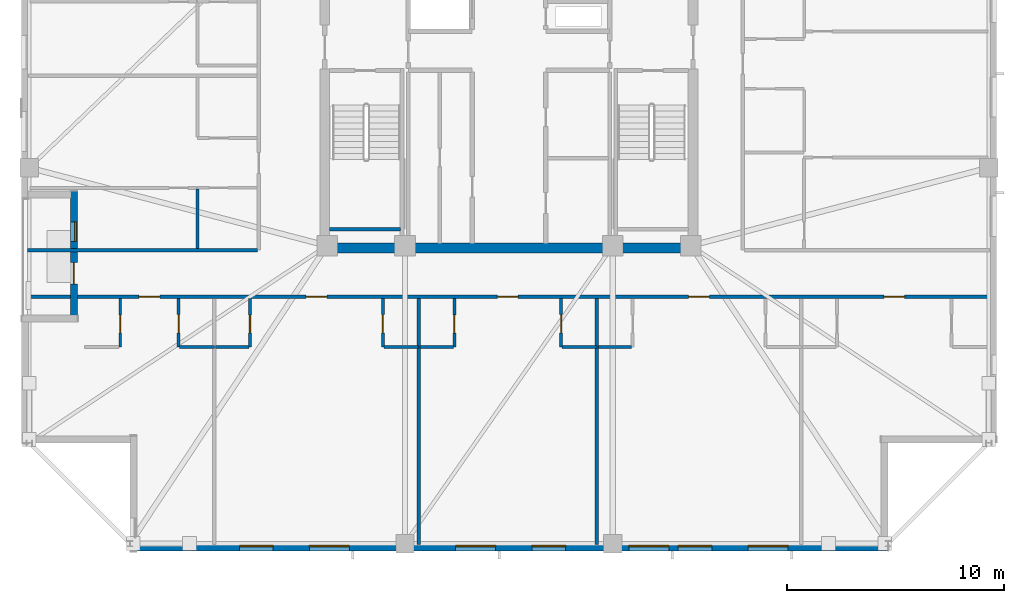
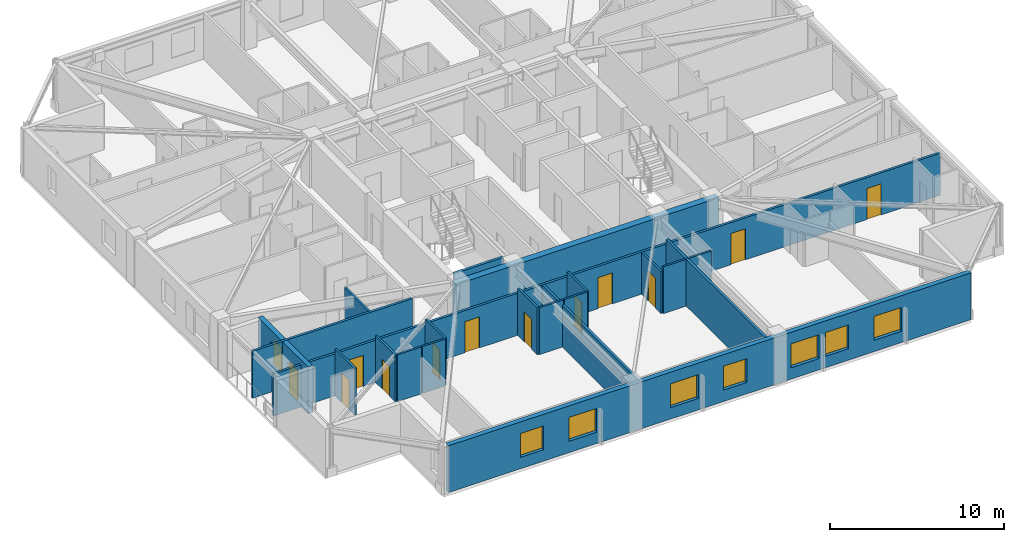
# One storey, part 7 of 17: 21 walls, 12 doors, 8 windows, 20 openings.
"""IFC4 building model written with IfcOpenShell, lengths in metres."""

from ifc_helpers import new_model, si_unit, direction, frame, frame_2d, origin, place, context, subcontext, project, spatial, rectangle, extrude, material, layer, layer_set, type_object, element, fill, save


model = new_model("IFC4")

# Units and contexts
model_context = context("Model", 3, precision=1e-05, world=origin(), true_north=direction((0.0, 1.0)))
body_context = subcontext(model_context, "Body", "Model", "MODEL_VIEW")
ifc_project = project(units=[si_unit("LENGTHUNIT", "METRE"), si_unit("AREAUNIT", "SQUARE_METRE"), si_unit("VOLUMEUNIT", "CUBIC_METRE"), si_unit("PLANEANGLEUNIT", "RADIAN"), si_unit("MASSUNIT", "GRAM", prefix="KILO")], contexts=[model_context])

# Site, building, storey
site_placement = place(None, origin())
site = spatial("IfcSite", under=ifc_project, at=site_placement, CompositionType="ELEMENT")
building_placement = place(site_placement, origin())
building = spatial("IfcBuilding", under=site, at=building_placement, Name="Cairnveth Concourse Tower", CompositionType="ELEMENT")
storey_placement = place(building_placement, frame((0.0, 0.0, 251.5)))
storey = spatial("IfcBuildingStorey", under=building, at=storey_placement, Name="L69", CompositionType="ELEMENT", Elevation=251.5)

# Wall, openings, doors
ifc_material_1 = material(Name="Gypsum Plasterboard Partition", Category="gypsum")
ifc_layer_1 = layer(ifc_material_1, 0.159912109375)
ifc_layer_set_1 = layer_set([ifc_layer_1], Name="Gypsum Plasterboard Partition")
wall_type_1 = type_object("IfcWallType", Name="ACOUSTIC PARTY WALL 180", PredefinedType="PARTITIONING", material=ifc_layer_set_1)
wall_1_placement = place(storey_placement, frame((29.9150390625, 28.25244140625, 0.0), z_axis=(0.0, 0.0, 1.0), x_axis=(1.0, 0.0, 0.0)))
wall_1 = element("IfcWall", 1, at=wall_1_placement, inside=storey, type_object=wall_type_1, Name="Interior Wall IW-L69-035", PredefinedType="PARTITIONING", context=body_context, shape_type="SweptSolid", body=[
    extrude(rectangle(XDim=44.280029296875, YDim=0.159912109375, at=frame_2d((22.14013671875, 0.0))), origin(), (0.0, 0.0, 1.0), 2.9580078125),
])
opening_1_placement = place(wall_1_placement, frame((5.002197265625, 0.0, 0.0)))
opening_1 = element("IfcOpeningElement", 2, at=opening_1_placement, cuts=wall_1, Name="Opening ID10", PredefinedType="OPENING", context=body_context, shape_type="SweptSolid", body=[
    extrude(rectangle(XDim=0.9599609375, YDim=2.179931640625, at=frame_2d((0.47998046875, 1.08984375))), frame((0.0, 0.08984375, 0.0), z_axis=(0.0, -1.0, 0.0), x_axis=(1.0, 0.0, 0.0)), (0.0, 0.0, 1.0), 0.179931640625),
])
opening_2_placement = place(wall_1_placement, frame((12.718017578125, 0.0, 0.0)))
opening_2 = element("IfcOpeningElement", 3, at=opening_2_placement, cuts=wall_1, Name="Opening ID10", PredefinedType="OPENING", context=body_context, shape_type="SweptSolid", body=[
    extrude(rectangle(XDim=0.9599609375, YDim=2.179931640625, at=frame_2d((0.47998046875, 1.08984375))), frame((0.0, 0.08984375, 0.0), z_axis=(0.0, -1.0, 0.0), x_axis=(1.0, 0.0, 0.0)), (0.0, 0.0, 1.0), 0.179931640625),
])
opening_3_placement = place(wall_1_placement, frame((21.550048828125, 0.0, 0.0)))
opening_3 = element("IfcOpeningElement", 4, at=opening_3_placement, cuts=wall_1, Name="Opening ID10", PredefinedType="OPENING", context=body_context, shape_type="SweptSolid", body=[
    extrude(rectangle(XDim=0.9599609375, YDim=2.179931640625, at=frame_2d((0.47998046875, 1.08984375))), frame((0.0, 0.08984375, 0.0), z_axis=(0.0, -1.0, 0.0), x_axis=(1.0, 0.0, 0.0)), (0.0, 0.0, 1.0), 0.179931640625),
])
opening_4_placement = place(wall_1_placement, frame((30.382080078125, 0.0, 0.0)))
opening_4 = element("IfcOpeningElement", 5, at=opening_4_placement, cuts=wall_1, Name="Opening ID10", PredefinedType="OPENING", context=body_context, shape_type="SweptSolid", body=[
    extrude(rectangle(XDim=0.9599609375, YDim=2.179931640625, at=frame_2d((0.47998046875, 1.08984375))), frame((0.0, 0.08984375, 0.0), z_axis=(0.0, -1.0, 0.0), x_axis=(1.0, 0.0, 0.0)), (0.0, 0.0, 1.0), 0.179931640625),
])
opening_5_placement = place(wall_1_placement, frame((39.392822265625, 0.0, 0.0)))
opening_5 = element("IfcOpeningElement", 6, at=opening_5_placement, cuts=wall_1, Name="Opening ID10", PredefinedType="OPENING", context=body_context, shape_type="SweptSolid", body=[
    extrude(rectangle(XDim=0.9599609375, YDim=2.179931640625, at=frame_2d((0.47998046875, 1.08984375))), frame((0.0, 0.08984375, 0.0), z_axis=(0.0, -1.0, 0.0), x_axis=(1.0, 0.0, 0.0)), (0.0, 0.0, 1.0), 0.179931640625),
])
ifc_material_2 = material(Name="Solid Core Hardwood Timber Leaf", Category="wood")
door_type_1 = type_object("IfcDoorType", Name="FLAT ENTRANCE DOOR 960X2150", OperationType="NOTDEFINED", PredefinedType="DOOR", material=ifc_material_2)
door_1_placement = place(opening_1_placement, origin())
door_1 = element("IfcDoor", 7, at=door_1_placement, inside=storey, type_object=door_type_1, Name="Studio L69STS1 Entrance Door", OperationType="SINGLE_SWING_RIGHT", OverallHeight=2.179931640625, OverallWidth=0.9599609375, PredefinedType="DOOR", context=body_context, shape_type="SweptSolid", body=[
    extrude(rectangle(XDim=0.9599609375, YDim=2.179931640625, at=frame_2d((0.47998046875, 1.08984375))), frame((0.0, 0.02490234375, 0.0), z_axis=(0.0, -1.0, 0.0), x_axis=(1.0, 0.0, 0.0)), (0.0, 0.0, 1.0), 0.050048828125),
])
fill(opening_1, door_1)
door_2_placement = place(opening_2_placement, origin())
door_2 = element("IfcDoor", 8, at=door_2_placement, inside=storey, type_object=door_type_1, Name="Studio L69STS2 Entrance Door", OperationType="SINGLE_SWING_LEFT", OverallHeight=2.179931640625, OverallWidth=0.9599609375, PredefinedType="DOOR", context=body_context, shape_type="SweptSolid", body=[
    extrude(rectangle(XDim=0.9599609375, YDim=2.179931640625, at=frame_2d((0.47998046875, 1.08984375))), frame((0.0, 0.02490234375, 0.0), z_axis=(0.0, -1.0, 0.0), x_axis=(1.0, 0.0, 0.0)), (0.0, 0.0, 1.0), 0.050048828125),
])
fill(opening_2, door_2)
door_3_placement = place(opening_3_placement, origin())
door_3 = element("IfcDoor", 9, at=door_3_placement, inside=storey, type_object=door_type_1, Name="Studio L69STS3 Entrance Door", OperationType="SINGLE_SWING_RIGHT", OverallHeight=2.179931640625, OverallWidth=0.9599609375, PredefinedType="DOOR", context=body_context, shape_type="SweptSolid", body=[
    extrude(rectangle(XDim=0.9599609375, YDim=2.179931640625, at=frame_2d((0.47998046875, 1.08984375))), frame((0.0, 0.02490234375, 0.0), z_axis=(0.0, -1.0, 0.0), x_axis=(1.0, 0.0, 0.0)), (0.0, 0.0, 1.0), 0.050048828125),
])
fill(opening_3, door_3)
door_4_placement = place(opening_4_placement, origin())
door_4 = element("IfcDoor", 10, at=door_4_placement, inside=storey, type_object=door_type_1, Name="Studio L69STS4 Entrance Door", OperationType="SINGLE_SWING_LEFT", OverallHeight=2.179931640625, OverallWidth=0.9599609375, PredefinedType="DOOR", context=body_context, shape_type="SweptSolid", body=[
    extrude(rectangle(XDim=0.9599609375, YDim=2.179931640625, at=frame_2d((0.47998046875, 1.08984375))), frame((0.0, 0.02490234375, 0.0), z_axis=(0.0, -1.0, 0.0), x_axis=(1.0, 0.0, 0.0)), (0.0, 0.0, 1.0), 0.050048828125),
])
fill(opening_4, door_4)
door_5_placement = place(opening_5_placement, origin())
door_5 = element("IfcDoor", 11, at=door_5_placement, inside=storey, type_object=door_type_1, Name="Studio L69STS5 Entrance Door", OperationType="SINGLE_SWING_RIGHT", OverallHeight=2.179931640625, OverallWidth=0.9599609375, PredefinedType="DOOR", context=body_context, shape_type="SweptSolid", body=[
    extrude(rectangle(XDim=0.9599609375, YDim=2.179931640625, at=frame_2d((0.47998046875, 1.08984375))), frame((0.0, 0.02490234375, 0.0), z_axis=(0.0, -1.0, 0.0), x_axis=(1.0, 0.0, 0.0)), (0.0, 0.0, 1.0), 0.050048828125),
])
fill(opening_5, door_5)

# Walls
wall_2_placement = place(storey_placement, frame((29.77001953125, 30.39990234375, 0.0), z_axis=(0.0, 0.0, 1.0), x_axis=(1.0, 0.0, 0.0)))
element("IfcWall", 12, at=wall_2_placement, inside=storey, type_object=wall_type_1, Name="Interior Wall IW-L69-039", PredefinedType="PARTITIONING", context=body_context, shape_type="SweptSolid", body=[
    extrude(rectangle(XDim=10.614990234375, YDim=0.159912109375, at=frame_2d((5.3076171875, 0.0))), origin(), (0.0, 0.0, 1.0), 3.2900390625),
])
wall_3_placement = place(storey_placement, frame((47.83154296875, 16.804931640625, 0.0), z_axis=(0.0, 0.0, 1.0), x_axis=(0.0, 1.0, 0.0)))
element("IfcWall", 13, at=wall_3_placement, inside=storey, type_object=wall_type_1, Name="Interior Wall IW-L69-052", PredefinedType="PARTITIONING", context=body_context, shape_type="SweptSolid", body=[
    extrude(rectangle(XDim=11.36767578125, YDim=0.159912109375, at=frame_2d((5.683837890625, 0.0))), origin(), (0.0, 0.0, 1.0), 2.9580078125),
])
wall_4_placement = place(storey_placement, frame((56.05859375, 16.804931640625, 0.0), z_axis=(0.0, 0.0, 1.0), x_axis=(0.0, 1.0, 0.0)))
element("IfcWall", 14, at=wall_4_placement, inside=storey, type_object=wall_type_1, Name="Interior Wall IW-L69-057", PredefinedType="PARTITIONING", context=body_context, shape_type="SweptSolid", body=[
    extrude(rectangle(XDim=11.36767578125, YDim=0.159912109375, at=frame_2d((5.683837890625, 0.0))), origin(), (0.0, 0.0, 1.0), 3.2900390625),
])
ifc_material_3 = material(Name="Concrete N65 (65 MPa)", Category="concrete")
ifc_layer_2 = layer(ifc_material_3, 0.449951171875)
ifc_layer_set_2 = layer_set([ifc_layer_2], Name="Concrete N65 (65 MPa)")
wall_type_2 = type_object("IfcWallType", Name="CORE SHEAR WALL 450", PredefinedType="SHEAR", material=ifc_layer_set_2)
wall_5_placement = place(storey_placement, frame((43.27490234375, 30.5, 0.0), z_axis=(0.0, 0.0, 1.0), x_axis=(1.0, 0.0, 0.0)))
element("IfcWall", 15, at=wall_5_placement, inside=storey, type_object=wall_type_2, Name="Core South Shear Wall L69", PredefinedType="SHEAR", context=body_context, shape_type="SweptSolid", body=[
    extrude(rectangle(XDim=17.4501953125, YDim=0.449951171875, at=frame_2d((8.72509765625, 0.0))), origin(), (0.0, 0.0, 1.0), 3.2900390625),
])
ifc_material_4 = material(Name="Concrete N50 (50 MPa)", Category="concrete")
ifc_layer_3 = layer(ifc_material_4, 0.179931640625)
ifc_layer_set_3 = layer_set([ifc_layer_3], Name="Concrete N50 (50 MPa)")
wall_type_3 = type_object("IfcWallType", Name="FIRE SHAFT WALL 180", PredefinedType="SOLIDWALL", material=ifc_layer_set_3)
wall_6_placement = place(storey_placement, frame((43.715087890625, 31.360107421875, 0.0), z_axis=(0.0, 0.0, 1.0), x_axis=(1.0, 0.0, 0.0)))
element("IfcWall", 16, at=wall_6_placement, inside=storey, type_object=wall_type_3, Name="Stair ST-1 Shaft Wall FAR L69", PredefinedType="SOLIDWALL", context=body_context, shape_type="SweptSolid", body=[
    extrude(rectangle(XDim=3.280029296875, YDim=0.179931640625, at=frame_2d((1.64013671875, 0.0))), origin(), (0.0, 0.0, 1.0), 3.2900390625),
])

# Wall, opening, door
ifc_layer_4 = layer(ifc_material_1, 0.1298828125)
ifc_layer_set_4 = layer_set([ifc_layer_4], Name="Gypsum Plasterboard Partition")
wall_type_4 = type_object("IfcWallType", Name="WET AREA PARTITION 140", PredefinedType="PLUMBINGWALL", material=ifc_layer_set_4)
wall_7_placement = place(storey_placement, frame((34.050048828125, 25.922607421875, 0.0), z_axis=(0.0, 0.0, 1.0), x_axis=(0.0, 1.0, 0.0)))
wall_7 = element("IfcWall", 17, at=wall_7_placement, inside=storey, type_object=wall_type_4, Name="Interior Wall IW-L69-043", PredefinedType="PLUMBINGWALL", context=body_context, shape_type="SweptSolid", body=[
    extrude(rectangle(XDim=2.25, YDim=0.1298828125, at=frame_2d((1.125, 0.0))), origin(), (0.0, 0.0, 1.0), 3.2900390625),
])
opening_6_placement = place(wall_7_placement, frame((0.64990234375, 0.0, 0.0)))
opening_6 = element("IfcOpeningElement", 18, at=opening_6_placement, cuts=wall_7, Name="Opening ID22", PredefinedType="OPENING", context=body_context, shape_type="SweptSolid", body=[
    extrude(rectangle(XDim=0.820068359375, YDim=2.10009765625, at=frame_2d((0.41015625, 1.050048828125))), frame((0.0, 0.074951171875, 0.0), z_axis=(0.0, -1.0, 0.0), x_axis=(1.0, 0.0, 0.0)), (0.0, 0.0, 1.0), 0.14990234375),
])
door_type_2 = type_object("IfcDoorType", Name="INTERIOR WC DOOR 820X2100", OperationType="NOTDEFINED", PredefinedType="DOOR", material=ifc_material_2)
door_6_placement = place(opening_6_placement, origin())
door_6 = element("IfcDoor", 19, at=door_6_placement, inside=storey, type_object=door_type_2, Name="L69STS1 Bathroom Door", OperationType="SINGLE_SWING_RIGHT", OverallHeight=2.10009765625, OverallWidth=0.820068359375, PredefinedType="DOOR", context=body_context, shape_type="SweptSolid", body=[
    extrude(rectangle(XDim=0.820068359375, YDim=2.10009765625, at=frame_2d((0.41015625, 1.050048828125))), frame((0.0, 0.02490234375, 0.0), z_axis=(0.0, -1.0, 0.0), x_axis=(1.0, 0.0, 0.0)), (0.0, 0.0, 1.0), 0.050048828125),
])
fill(opening_6, door_6)

wall_8_placement = place(storey_placement, frame((36.744384765625, 25.922607421875, 0.0), z_axis=(0.0, 0.0, 1.0), x_axis=(0.0, 1.0, 0.0)))
wall_8 = element("IfcWall", 20, at=wall_8_placement, inside=storey, type_object=wall_type_4, Name="Interior Wall IW-L69-045", PredefinedType="PLUMBINGWALL", context=body_context, shape_type="SweptSolid", body=[
    extrude(rectangle(XDim=2.25, YDim=0.1298828125, at=frame_2d((1.125, 0.0))), origin(), (0.0, 0.0, 1.0), 3.2900390625),
])
opening_7_placement = place(wall_8_placement, frame((0.64990234375, 0.0, 0.0)))
opening_7 = element("IfcOpeningElement", 21, at=opening_7_placement, cuts=wall_8, Name="Opening ID20", PredefinedType="OPENING", context=body_context, shape_type="SweptSolid", body=[
    extrude(rectangle(XDim=0.85009765625, YDim=2.10009765625, at=frame_2d((0.425048828125, 1.050048828125))), frame((0.0, 0.074951171875, 0.0), z_axis=(0.0, -1.0, 0.0), x_axis=(1.0, 0.0, 0.0)), (0.0, 0.0, 1.0), 0.14990234375),
])
door_type_3 = type_object("IfcDoorType", Name="INTERIOR SINGLE DOOR 850X2100", OperationType="NOTDEFINED", PredefinedType="DOOR", material=ifc_material_2)
door_7_placement = place(opening_7_placement, origin())
door_7 = element("IfcDoor", 22, at=door_7_placement, inside=storey, type_object=door_type_3, Name="L69STS1 Kitchen Door", OperationType="SINGLE_SWING_LEFT", OverallHeight=2.10009765625, OverallWidth=0.85009765625, PredefinedType="DOOR", context=body_context, shape_type="SweptSolid", body=[
    extrude(rectangle(XDim=0.85009765625, YDim=2.10009765625, at=frame_2d((0.425048828125, 1.050048828125))), frame((0.0, 0.02490234375, 0.0), z_axis=(0.0, -1.0, 0.0), x_axis=(1.0, 0.0, 0.0)), (0.0, 0.0, 1.0), 0.050048828125),
])
fill(opening_7, door_7)

# Wall
wall_9_placement = place(storey_placement, frame((36.79443359375, 25.922607421875, 0.0), z_axis=(0.0, 0.0, 1.0), x_axis=(1.0, 0.0, 0.0)))
element("IfcWall", 23, at=wall_9_placement, inside=storey, type_object=wall_type_4, Name="Interior Wall IW-L69-046", PredefinedType="PLUMBINGWALL", context=body_context, shape_type="SweptSolid", body=[
    extrude(rectangle(XDim=1.60009765625, YDim=0.1298828125, at=frame_2d((0.800048828125, 0.0))), origin(), (0.0, 0.0, 1.0), 3.2900390625),
])

# Wall, opening, door
wall_10_placement = place(storey_placement, frame((40.04443359375, 25.922607421875, 0.0), z_axis=(0.0, 0.0, 1.0), x_axis=(0.0, 1.0, 0.0)))
wall_10 = element("IfcWall", 24, at=wall_10_placement, inside=storey, type_object=wall_type_4, Name="Interior Wall IW-L69-048", PredefinedType="PLUMBINGWALL", context=body_context, shape_type="SweptSolid", body=[
    extrude(rectangle(XDim=2.25, YDim=0.1298828125, at=frame_2d((1.125, 0.0))), origin(), (0.0, 0.0, 1.0), 3.2900390625),
])
opening_8_placement = place(wall_10_placement, frame((0.64990234375, 0.0, 0.0)))
opening_8 = element("IfcOpeningElement", 25, at=opening_8_placement, cuts=wall_10, Name="Opening ID22", PredefinedType="OPENING", context=body_context, shape_type="SweptSolid", body=[
    extrude(rectangle(XDim=0.820068359375, YDim=2.10009765625, at=frame_2d((0.41015625, 1.050048828125))), frame((0.0, 0.074951171875, 0.0), z_axis=(0.0, -1.0, 0.0), x_axis=(1.0, 0.0, 0.0)), (0.0, 0.0, 1.0), 0.14990234375),
])
door_8_placement = place(opening_8_placement, origin())
door_8 = element("IfcDoor", 26, at=door_8_placement, inside=storey, type_object=door_type_2, Name="L69STS2 Bathroom Door", OperationType="SINGLE_SWING_LEFT", OverallHeight=2.10009765625, OverallWidth=0.820068359375, PredefinedType="DOOR", context=body_context, shape_type="SweptSolid", body=[
    extrude(rectangle(XDim=0.820068359375, YDim=2.10009765625, at=frame_2d((0.41015625, 1.050048828125))), frame((0.0, 0.02490234375, 0.0), z_axis=(0.0, -1.0, 0.0), x_axis=(1.0, 0.0, 0.0)), (0.0, 0.0, 1.0), 0.050048828125),
])
fill(opening_8, door_8)

# Wall
wall_11_placement = place(storey_placement, frame((38.45947265625, 25.922607421875, 0.0), z_axis=(0.0, 0.0, 1.0), x_axis=(1.0, 0.0, 0.0)))
element("IfcWall", 27, at=wall_11_placement, inside=storey, type_object=wall_type_4, Name="Interior Wall IW-L69-049", PredefinedType="PLUMBINGWALL", context=body_context, shape_type="SweptSolid", body=[
    extrude(rectangle(XDim=1.534912109375, YDim=0.1298828125, at=frame_2d((0.767578125, 0.0))), origin(), (0.0, 0.0, 1.0), 3.2900390625),
])

# Wall, opening, door
wall_12_placement = place(storey_placement, frame((46.181396484375, 25.922607421875, 0.0), z_axis=(0.0, 0.0, 1.0), x_axis=(0.0, 1.0, 0.0)))
wall_12 = element("IfcWall", 28, at=wall_12_placement, inside=storey, type_object=wall_type_4, Name="Interior Wall IW-L69-050", PredefinedType="PLUMBINGWALL", context=body_context, shape_type="SweptSolid", body=[
    extrude(rectangle(XDim=2.25, YDim=0.1298828125, at=frame_2d((1.125, 0.0))), origin(), (0.0, 0.0, 1.0), 3.2900390625),
])
opening_9_placement = place(wall_12_placement, frame((0.64990234375, 0.0, 0.0)))
opening_9 = element("IfcOpeningElement", 29, at=opening_9_placement, cuts=wall_12, Name="Opening ID20", PredefinedType="OPENING", context=body_context, shape_type="SweptSolid", body=[
    extrude(rectangle(XDim=0.85009765625, YDim=2.10009765625, at=frame_2d((0.425048828125, 1.050048828125))), frame((0.0, 0.074951171875, 0.0), z_axis=(0.0, -1.0, 0.0), x_axis=(1.0, 0.0, 0.0)), (0.0, 0.0, 1.0), 0.14990234375),
])
door_9_placement = place(opening_9_placement, origin())
door_9 = element("IfcDoor", 30, at=door_9_placement, inside=storey, type_object=door_type_3, Name="L69STS2 Kitchen Door", OperationType="SINGLE_SWING_RIGHT", OverallHeight=2.10009765625, OverallWidth=0.85009765625, PredefinedType="DOOR", context=body_context, shape_type="SweptSolid", body=[
    extrude(rectangle(XDim=0.85009765625, YDim=2.10009765625, at=frame_2d((0.425048828125, 1.050048828125))), frame((0.0, 0.02490234375, 0.0), z_axis=(0.0, -1.0, 0.0), x_axis=(1.0, 0.0, 0.0)), (0.0, 0.0, 1.0), 0.050048828125),
])
fill(opening_9, door_9)

# Wall
wall_13_placement = place(storey_placement, frame((46.2314453125, 25.922607421875, 0.0), z_axis=(0.0, 0.0, 1.0), x_axis=(1.0, 0.0, 0.0)))
element("IfcWall", 31, at=wall_13_placement, inside=storey, type_object=wall_type_4, Name="Interior Wall IW-L69-051", PredefinedType="PLUMBINGWALL", context=body_context, shape_type="SweptSolid", body=[
    extrude(rectangle(XDim=1.60009765625, YDim=0.1298828125, at=frame_2d((0.800048828125, 0.0))), origin(), (0.0, 0.0, 1.0), 3.2900390625),
])

# Wall, opening, door
wall_14_placement = place(storey_placement, frame((49.4814453125, 25.922607421875, 0.0), z_axis=(0.0, 0.0, 1.0), x_axis=(0.0, 1.0, 0.0)))
wall_14 = element("IfcWall", 32, at=wall_14_placement, inside=storey, type_object=wall_type_4, Name="Interior Wall IW-L69-053", PredefinedType="PLUMBINGWALL", context=body_context, shape_type="SweptSolid", body=[
    extrude(rectangle(XDim=2.25, YDim=0.1298828125, at=frame_2d((1.125, 0.0))), origin(), (0.0, 0.0, 1.0), 3.2900390625),
])
opening_10_placement = place(wall_14_placement, frame((0.64990234375, 0.0, 0.0)))
opening_10 = element("IfcOpeningElement", 33, at=opening_10_placement, cuts=wall_14, Name="Opening ID22", PredefinedType="OPENING", context=body_context, shape_type="SweptSolid", body=[
    extrude(rectangle(XDim=0.820068359375, YDim=2.10009765625, at=frame_2d((0.41015625, 1.050048828125))), frame((0.0, 0.074951171875, 0.0), z_axis=(0.0, -1.0, 0.0), x_axis=(1.0, 0.0, 0.0)), (0.0, 0.0, 1.0), 0.14990234375),
])
door_10_placement = place(opening_10_placement, origin())
door_10 = element("IfcDoor", 34, at=door_10_placement, inside=storey, type_object=door_type_2, Name="L69STS3 Bathroom Door", OperationType="SINGLE_SWING_RIGHT", OverallHeight=2.10009765625, OverallWidth=0.820068359375, PredefinedType="DOOR", context=body_context, shape_type="SweptSolid", body=[
    extrude(rectangle(XDim=0.820068359375, YDim=2.10009765625, at=frame_2d((0.41015625, 1.050048828125))), frame((0.0, 0.02490234375, 0.0), z_axis=(0.0, -1.0, 0.0), x_axis=(1.0, 0.0, 0.0)), (0.0, 0.0, 1.0), 0.050048828125),
])
fill(opening_10, door_10)

# Wall
wall_15_placement = place(storey_placement, frame((47.896484375, 25.922607421875, 0.0), z_axis=(0.0, 0.0, 1.0), x_axis=(1.0, 0.0, 0.0)))
element("IfcWall", 35, at=wall_15_placement, inside=storey, type_object=wall_type_4, Name="Interior Wall IW-L69-054", PredefinedType="PLUMBINGWALL", context=body_context, shape_type="SweptSolid", body=[
    extrude(rectangle(XDim=1.534912109375, YDim=0.1298828125, at=frame_2d((0.767578125, 0.0))), origin(), (0.0, 0.0, 1.0), 3.2900390625),
])

# Wall, opening, door
wall_16_placement = place(storey_placement, frame((54.408447265625, 25.922607421875, 0.0), z_axis=(0.0, 0.0, 1.0), x_axis=(0.0, 1.0, 0.0)))
wall_16 = element("IfcWall", 36, at=wall_16_placement, inside=storey, type_object=wall_type_4, Name="Interior Wall IW-L69-055", PredefinedType="PLUMBINGWALL", context=body_context, shape_type="SweptSolid", body=[
    extrude(rectangle(XDim=2.25, YDim=0.1298828125, at=frame_2d((1.125, 0.0))), origin(), (0.0, 0.0, 1.0), 2.9580078125),
])
opening_11_placement = place(wall_16_placement, frame((0.64990234375, 0.0, 0.0)))
opening_11 = element("IfcOpeningElement", 37, at=opening_11_placement, cuts=wall_16, Name="Opening ID20", PredefinedType="OPENING", context=body_context, shape_type="SweptSolid", body=[
    extrude(rectangle(XDim=0.85009765625, YDim=2.10009765625, at=frame_2d((0.425048828125, 1.050048828125))), frame((0.0, 0.074951171875, 0.0), z_axis=(0.0, -1.0, 0.0), x_axis=(1.0, 0.0, 0.0)), (0.0, 0.0, 1.0), 0.14990234375),
])
door_11_placement = place(opening_11_placement, origin())
door_11 = element("IfcDoor", 38, at=door_11_placement, inside=storey, type_object=door_type_3, Name="L69STS3 Kitchen Door", OperationType="SINGLE_SWING_LEFT", OverallHeight=2.10009765625, OverallWidth=0.85009765625, PredefinedType="DOOR", context=body_context, shape_type="SweptSolid", body=[
    extrude(rectangle(XDim=0.85009765625, YDim=2.10009765625, at=frame_2d((0.425048828125, 1.050048828125))), frame((0.0, 0.02490234375, 0.0), z_axis=(0.0, -1.0, 0.0), x_axis=(1.0, 0.0, 0.0)), (0.0, 0.0, 1.0), 0.050048828125),
])
fill(opening_11, door_11)

# Walls
wall_17_placement = place(storey_placement, frame((54.45849609375, 25.922607421875, 0.0), z_axis=(0.0, 0.0, 1.0), x_axis=(1.0, 0.0, 0.0)))
element("IfcWall", 39, at=wall_17_placement, inside=storey, type_object=wall_type_4, Name="Interior Wall IW-L69-056", PredefinedType="PLUMBINGWALL", context=body_context, shape_type="SweptSolid", body=[
    extrude(rectangle(XDim=1.60009765625, YDim=0.1298828125, at=frame_2d((0.800048828125, 0.0))), origin(), (0.0, 0.0, 1.0), 3.2900390625),
])
wall_18_placement = place(storey_placement, frame((56.12353515625, 25.922607421875, 0.0), z_axis=(0.0, 0.0, 1.0), x_axis=(1.0, 0.0, 0.0)))
element("IfcWall", 40, at=wall_18_placement, inside=storey, type_object=wall_type_4, Name="Interior Wall IW-L69-059", PredefinedType="PLUMBINGWALL", context=body_context, shape_type="SweptSolid", body=[
    extrude(rectangle(XDim=1.534912109375, YDim=0.1298828125, at=frame_2d((0.767578125, 0.0))), origin(), (0.0, 0.0, 1.0), 3.2900390625),
])
wall_19_placement = place(storey_placement, frame((37.6201171875, 30.465087890625, 0.0), z_axis=(0.0, 0.0, 1.0), x_axis=(0.0, 1.0, 0.0)))
element("IfcWall", 41, at=wall_19_placement, inside=storey, type_object=wall_type_4, Name="Interior Wall IW-L69-098", PredefinedType="PLUMBINGWALL", context=body_context, shape_type="SweptSolid", body=[
    extrude(rectangle(XDim=2.760009765625, YDim=0.1298828125, at=frame_2d((1.3798828125, 0.0))), origin(), (0.0, 0.0, 1.0), 3.2900390625),
])

# Wall, openings, windows
ifc_material_5 = material(Name="Melbourne Buff Fired Clay Brick Masonry", Category="masonry")
ifc_layer_5 = layer(ifc_material_5, 0.320068359375)
ifc_layer_set_5 = layer_set([ifc_layer_5], Name="Melbourne Buff Fired Clay Brick Masonry")
wall_type_5 = type_object("IfcWallType", Name="ZONE 3 BRICK PIER SPANDREL WALL 320", PredefinedType="SOLIDWALL", material=ifc_layer_set_5)
wall_20_placement = place(storey_placement, frame((69.5, 16.659912109375, 0.0), z_axis=(0.0, 0.0, 1.0), x_axis=(-1.0, 0.0, 0.0)))
wall_20 = element("IfcWall", 42, at=wall_20_placement, inside=storey, type_object=wall_type_5, Name="Exterior Wall EW-L69-S09", PredefinedType="SOLIDWALL", context=body_context, shape_type="SweptSolid", body=[
    extrude(rectangle(XDim=34.701904296875, YDim=0.320068359375, at=frame_2d((17.35107421875, 0.0))), origin(), (0.0, 0.0, 1.0), 3.2900390625),
])
opening_12_placement = place(wall_20_placement, frame((4.612548828125, 0.0, 0.800048828125)))
opening_12 = element("IfcOpeningElement", 43, at=opening_12_placement, cuts=wall_20, Name="Opening W08", PredefinedType="OPENING", context=body_context, shape_type="SweptSolid", body=[
    extrude(rectangle(XDim=1.85009765625, YDim=1.677978515625, at=frame_2d((0.925048828125, 0.8388671875))), frame((0.0, 0.169921875, 0.0), z_axis=(0.0, -1.0, 0.0), x_axis=(1.0, 0.0, 0.0)), (0.0, 0.0, 1.0), 0.340087890625),
])
opening_13_placement = place(wall_20_placement, frame((8.137939453125, 0.0, 0.800048828125)))
opening_13 = element("IfcOpeningElement", 44, at=opening_13_placement, cuts=wall_20, Name="Opening W07", PredefinedType="OPENING", context=body_context, shape_type="SweptSolid", body=[
    extrude(rectangle(XDim=1.550048828125, YDim=1.677978515625, at=frame_2d((0.77490234375, 0.8388671875))), frame((0.0, 0.169921875, 0.0), z_axis=(0.0, -1.0, 0.0), x_axis=(1.0, 0.0, 0.0)), (0.0, 0.0, 1.0), 0.340087890625),
])
opening_14_placement = place(wall_20_placement, frame((10.113037109375, 0.0, 0.800048828125)))
opening_14 = element("IfcOpeningElement", 45, at=opening_14_placement, cuts=wall_20, Name="Opening W08", PredefinedType="OPENING", context=body_context, shape_type="SweptSolid", body=[
    extrude(rectangle(XDim=1.85009765625, YDim=1.677978515625, at=frame_2d((0.925048828125, 0.8388671875))), frame((0.0, 0.169921875, 0.0), z_axis=(0.0, -1.0, 0.0), x_axis=(1.0, 0.0, 0.0)), (0.0, 0.0, 1.0), 0.340087890625),
])
opening_15_placement = place(wall_20_placement, frame((14.888427734375, 0.0, 0.800048828125)))
opening_15 = element("IfcOpeningElement", 46, at=opening_15_placement, cuts=wall_20, Name="Opening W07", PredefinedType="OPENING", context=body_context, shape_type="SweptSolid", body=[
    extrude(rectangle(XDim=1.550048828125, YDim=1.677978515625, at=frame_2d((0.77490234375, 0.8388671875))), frame((0.0, 0.169921875, 0.0), z_axis=(0.0, -1.0, 0.0), x_axis=(1.0, 0.0, 0.0)), (0.0, 0.0, 1.0), 0.340087890625),
])
opening_16_placement = place(wall_20_placement, frame((18.113525390625, 0.0, 0.800048828125)))
opening_16 = element("IfcOpeningElement", 47, at=opening_16_placement, cuts=wall_20, Name="Opening W08", PredefinedType="OPENING", context=body_context, shape_type="SweptSolid", body=[
    extrude(rectangle(XDim=1.85009765625, YDim=1.677978515625, at=frame_2d((0.925048828125, 0.8388671875))), frame((0.0, 0.169921875, 0.0), z_axis=(0.0, -1.0, 0.0), x_axis=(1.0, 0.0, 0.0)), (0.0, 0.0, 1.0), 0.340087890625),
])
opening_17_placement = place(wall_20_placement, frame((24.864013671875, 0.0, 0.800048828125)))
opening_17 = element("IfcOpeningElement", 48, at=opening_17_placement, cuts=wall_20, Name="Opening W08", PredefinedType="OPENING", context=body_context, shape_type="SweptSolid", body=[
    extrude(rectangle(XDim=1.85009765625, YDim=1.677978515625, at=frame_2d((0.925048828125, 0.8388671875))), frame((0.0, 0.169921875, 0.0), z_axis=(0.0, -1.0, 0.0), x_axis=(1.0, 0.0, 0.0)), (0.0, 0.0, 1.0), 0.340087890625),
])
opening_18_placement = place(wall_20_placement, frame((28.389404296875, 0.0, 0.800048828125)))
opening_18 = element("IfcOpeningElement", 49, at=opening_18_placement, cuts=wall_20, Name="Opening W07", PredefinedType="OPENING", context=body_context, shape_type="SweptSolid", body=[
    extrude(rectangle(XDim=1.550048828125, YDim=1.677978515625, at=frame_2d((0.77490234375, 0.8388671875))), frame((0.0, 0.169921875, 0.0), z_axis=(0.0, -1.0, 0.0), x_axis=(1.0, 0.0, 0.0)), (0.0, 0.0, 1.0), 0.340087890625),
])
ifc_material_6 = material(Name="Double Glazed Low-E Clear Glass", Category="glass")
window_type_1 = type_object("IfcWindowType", Name="DEEP-SET APARTMENT LIVING WINDOW 1850X1850", PartitioningType="DOUBLE_PANEL_VERTICAL", PredefinedType="WINDOW", material=ifc_material_6)
window_1_placement = place(opening_12_placement, origin())
window_1 = element("IfcWindow", 50, at=window_1_placement, inside=storey, type_object=window_type_1, Name="Gothic Lancet Window L69-9-1", OverallHeight=1.677978515625, OverallWidth=1.85009765625, PartitioningType="SINGLE_PANEL", PredefinedType="WINDOW", context=body_context, shape_type="SweptSolid", body=[
    extrude(rectangle(XDim=1.85009765625, YDim=1.677978515625, at=frame_2d((0.925048828125, 0.8388671875))), frame((0.0, -0.050048828125, 0.0), z_axis=(0.0, -1.0, 0.0), x_axis=(1.0, 0.0, 0.0)), (0.0, 0.0, 1.0), 0.06005859375),
])
fill(opening_12, window_1)
window_2_placement = place(opening_14_placement, origin())
window_2 = element("IfcWindow", 51, at=window_2_placement, inside=storey, type_object=window_type_1, Name="Gothic Lancet Window L69-9-3", OverallHeight=1.677978515625, OverallWidth=1.85009765625, PartitioningType="SINGLE_PANEL", PredefinedType="WINDOW", context=body_context, shape_type="SweptSolid", body=[
    extrude(rectangle(XDim=1.85009765625, YDim=1.677978515625, at=frame_2d((0.925048828125, 0.8388671875))), frame((0.0, -0.050048828125, 0.0), z_axis=(0.0, -1.0, 0.0), x_axis=(1.0, 0.0, 0.0)), (0.0, 0.0, 1.0), 0.06005859375),
])
fill(opening_14, window_2)
window_3_placement = place(opening_16_placement, origin())
window_3 = element("IfcWindow", 52, at=window_3_placement, inside=storey, type_object=window_type_1, Name="Gothic Lancet Window L69-9-5", OverallHeight=1.677978515625, OverallWidth=1.85009765625, PartitioningType="SINGLE_PANEL", PredefinedType="WINDOW", context=body_context, shape_type="SweptSolid", body=[
    extrude(rectangle(XDim=1.85009765625, YDim=1.677978515625, at=frame_2d((0.925048828125, 0.8388671875))), frame((0.0, -0.050048828125, 0.0), z_axis=(0.0, -1.0, 0.0), x_axis=(1.0, 0.0, 0.0)), (0.0, 0.0, 1.0), 0.06005859375),
])
fill(opening_16, window_3)
window_4_placement = place(opening_17_placement, origin())
window_4 = element("IfcWindow", 53, at=window_4_placement, inside=storey, type_object=window_type_1, Name="Gothic Lancet Window L69-9-7", OverallHeight=1.677978515625, OverallWidth=1.85009765625, PartitioningType="SINGLE_PANEL", PredefinedType="WINDOW", context=body_context, shape_type="SweptSolid", body=[
    extrude(rectangle(XDim=1.85009765625, YDim=1.677978515625, at=frame_2d((0.925048828125, 0.8388671875))), frame((0.0, -0.050048828125, 0.0), z_axis=(0.0, -1.0, 0.0), x_axis=(1.0, 0.0, 0.0)), (0.0, 0.0, 1.0), 0.06005859375),
])
fill(opening_17, window_4)
window_type_2 = type_object("IfcWindowType", Name="DEEP-SET APARTMENT WINDOW 1550X1800", PartitioningType="DOUBLE_PANEL_VERTICAL", PredefinedType="WINDOW", material=ifc_material_6)
window_5_placement = place(opening_13_placement, origin())
window_5 = element("IfcWindow", 54, at=window_5_placement, inside=storey, type_object=window_type_2, Name="Gothic Lancet Window L69-9-2", OverallHeight=1.677978515625, OverallWidth=1.550048828125, PartitioningType="SINGLE_PANEL", PredefinedType="WINDOW", context=body_context, shape_type="SweptSolid", body=[
    extrude(rectangle(XDim=1.550048828125, YDim=1.677978515625, at=frame_2d((0.77490234375, 0.8388671875))), frame((0.0, -0.050048828125, 0.0), z_axis=(0.0, -1.0, 0.0), x_axis=(1.0, 0.0, 0.0)), (0.0, 0.0, 1.0), 0.06005859375),
])
fill(opening_13, window_5)
window_6_placement = place(opening_15_placement, origin())
window_6 = element("IfcWindow", 55, at=window_6_placement, inside=storey, type_object=window_type_2, Name="Gothic Lancet Window L69-9-4", OverallHeight=1.677978515625, OverallWidth=1.550048828125, PartitioningType="SINGLE_PANEL", PredefinedType="WINDOW", context=body_context, shape_type="SweptSolid", body=[
    extrude(rectangle(XDim=1.550048828125, YDim=1.677978515625, at=frame_2d((0.77490234375, 0.8388671875))), frame((0.0, -0.050048828125, 0.0), z_axis=(0.0, -1.0, 0.0), x_axis=(1.0, 0.0, 0.0)), (0.0, 0.0, 1.0), 0.06005859375),
])
fill(opening_15, window_6)
window_7_placement = place(opening_18_placement, origin())
window_7 = element("IfcWindow", 56, at=window_7_placement, inside=storey, type_object=window_type_2, Name="Gothic Lancet Window L69-9-8", OverallHeight=1.677978515625, OverallWidth=1.550048828125, PartitioningType="SINGLE_PANEL", PredefinedType="WINDOW", context=body_context, shape_type="SweptSolid", body=[
    extrude(rectangle(XDim=1.550048828125, YDim=1.677978515625, at=frame_2d((0.77490234375, 0.8388671875))), frame((0.0, -0.050048828125, 0.0), z_axis=(0.0, -1.0, 0.0), x_axis=(1.0, 0.0, 0.0)), (0.0, 0.0, 1.0), 0.06005859375),
])
fill(opening_18, window_7)

# Wall, openings, window, door
wall_21_placement = place(storey_placement, frame((31.909912109375, 27.3779296875, 0.0), z_axis=(0.0, 0.0, 1.0), x_axis=(0.0, 1.0, 0.0)))
wall_21 = element("IfcWall", 57, at=wall_21_placement, inside=storey, type_object=wall_type_5, Name="Exterior Wall EW-L69-S14", PredefinedType="SOLIDWALL", context=body_context, shape_type="SweptSolid", body=[
    extrude(rectangle(XDim=5.7421875, YDim=0.320068359375, at=frame_2d((2.87109375, 0.0))), origin(), (0.0, 0.0, 1.0), 3.2900390625),
])
opening_19_placement = place(wall_21_placement, frame((1.4482421875, 0.0, 0.0)))
opening_19 = element("IfcOpeningElement", 58, at=opening_19_placement, cuts=wall_21, Name="Opening ED4", PredefinedType="OPENING", context=body_context, shape_type="SweptSolid", body=[
    extrude(rectangle(XDim=1.0, YDim=2.14990234375, at=frame_2d((0.5, 1.074951171875))), frame((0.0, 0.169921875, 0.0), z_axis=(0.0, -1.0, 0.0), x_axis=(1.0, 0.0, 0.0)), (0.0, 0.0, 1.0), 0.340087890625),
])
opening_20_placement = place(wall_21_placement, frame((3.429931640625, 0.0, 0.800048828125)))
opening_20 = element("IfcOpeningElement", 59, at=opening_20_placement, cuts=wall_21, Name="Opening W13", PredefinedType="OPENING", context=body_context, shape_type="SweptSolid", body=[
    extrude(rectangle(XDim=0.89990234375, YDim=1.677978515625, at=frame_2d((0.449951171875, 0.8388671875))), frame((0.0, 0.169921875, 0.0), z_axis=(0.0, -1.0, 0.0), x_axis=(1.0, 0.0, 0.0)), (0.0, 0.0, 1.0), 0.340087890625),
])
window_type_3 = type_object("IfcWindowType", Name="DEEP-SET BEDROOM LANCET WINDOW 900X1750", PartitioningType="DOUBLE_PANEL_VERTICAL", PredefinedType="WINDOW", material=ifc_material_6)
window_8_placement = place(opening_20_placement, origin())
window_8 = element("IfcWindow", 60, at=window_8_placement, inside=storey, type_object=window_type_3, Name="Dwelling Lancet Window L69-DW5", OverallHeight=1.677978515625, OverallWidth=0.89990234375, PartitioningType="SINGLE_PANEL", PredefinedType="WINDOW", context=body_context, shape_type="SweptSolid", body=[
    extrude(rectangle(XDim=0.89990234375, YDim=1.677978515625, at=frame_2d((0.449951171875, 0.8388671875))), frame((0.0, -0.0400390625, 0.0), z_axis=(0.0, -1.0, 0.0), x_axis=(1.0, 0.0, 0.0)), (0.0, 0.0, 1.0), 0.06005859375),
])
fill(opening_20, window_8)
ifc_material_7 = material(Name="Architectural Bronze Anodised Aluminium 6063-T6", Category="aluminium")
door_type_4 = type_object("IfcDoorType", Name="TERRACE GLAZED DOOR 1000X2150", OperationType="NOTDEFINED", PredefinedType="DOOR", material=ifc_material_7)
door_12_placement = place(opening_19_placement, origin())
door_12 = element("IfcDoor", 61, at=door_12_placement, inside=storey, type_object=door_type_4, Name="Spiral Terrace Door L69", OperationType="SINGLE_SWING_RIGHT", OverallHeight=2.14990234375, OverallWidth=1.0, PredefinedType="DOOR", context=body_context, shape_type="SweptSolid", body=[
    extrude(rectangle(XDim=1.0, YDim=2.14990234375, at=frame_2d((0.5, 1.074951171875))), frame((0.0, 0.02490234375, 0.0), z_axis=(0.0, -1.0, 0.0), x_axis=(1.0, 0.0, 0.0)), (0.0, 0.0, 1.0), 0.050048828125),
])
fill(opening_19, door_12)

save(model, "model.ifc")
